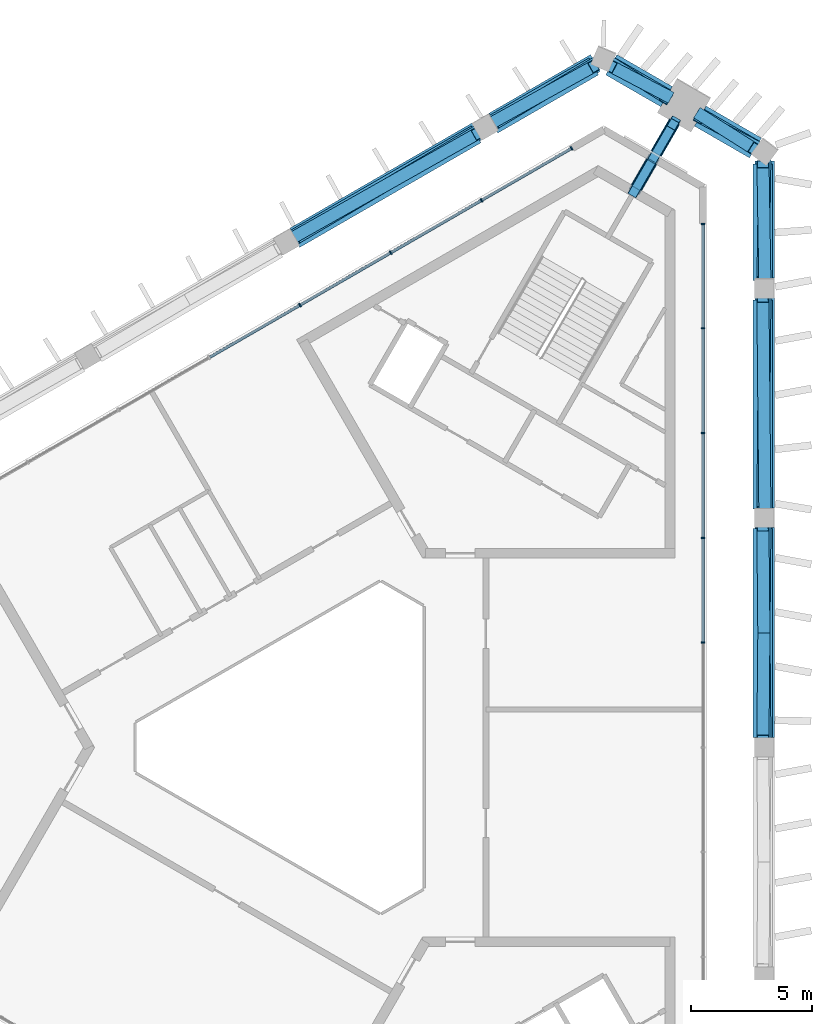
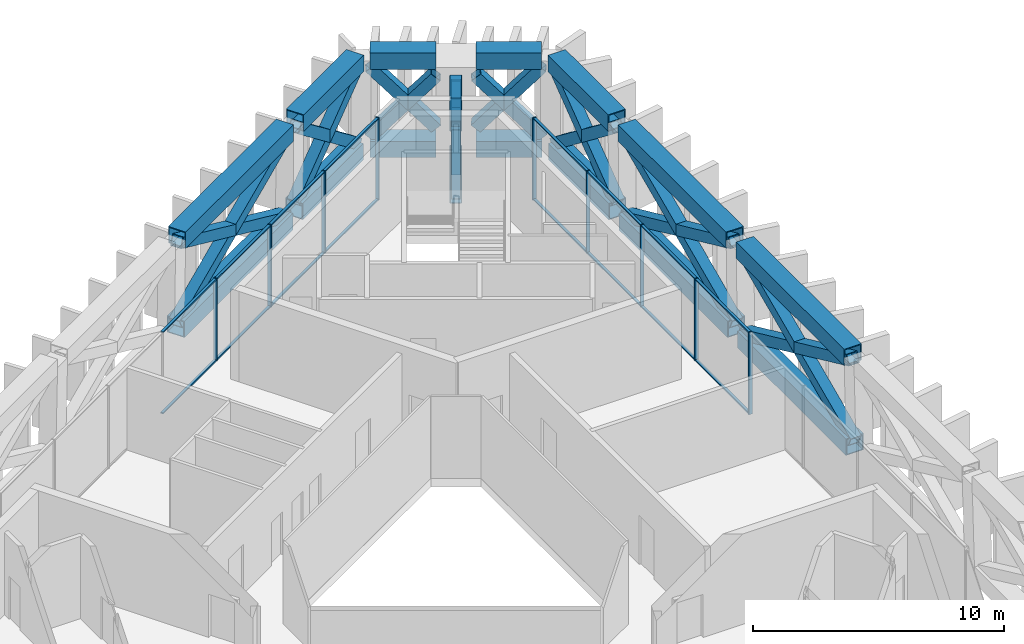
# One storey, part 6 of 12: 61 members, 2 elements without a shape of their own.
"""IFC4 building model written with IfcOpenShell, lengths in metres."""

from ifc_helpers import new_model, si_unit, direction, frame, origin, origin_2d, place, context, subcontext, project, spatial, rectangle, hollow_rectangle, extrude, material, layer, layer_set, material_profile, profile_set, type_object, element, aggregate, save


model = new_model("IFC4")

# Units and contexts
model_context = context("Model", 3, precision=1e-05, world=origin(), true_north=direction((0.0, 1.0)))
body_context = subcontext(model_context, "Body", "Model", "MODEL_VIEW")
ifc_project = project(units=[si_unit("LENGTHUNIT", "METRE"), si_unit("AREAUNIT", "SQUARE_METRE"), si_unit("VOLUMEUNIT", "CUBIC_METRE"), si_unit("PLANEANGLEUNIT", "RADIAN"), si_unit("MASSUNIT", "GRAM", prefix="KILO")], contexts=[model_context])

# Site, building, storey
site_placement = place(None, origin())
site = spatial("IfcSite", under=ifc_project, at=site_placement, CompositionType="ELEMENT")
building_placement = place(site_placement, origin())
building = spatial("IfcBuilding", under=site, at=building_placement, Name="Jabali Bay Hotel Tower and Convention Centre", CompositionType="ELEMENT")
storey_placement = place(building_placement, frame((0.0, 0.0, 300.39990234375)))
storey = spatial("IfcBuildingStorey", under=building, at=storey_placement, Name="L74", CompositionType="ELEMENT", Elevation=300.39990234375)

# Members
ifc_material_1 = material(Name="Steel Q420GJC", Category="steel")
ifc_material_profile_1 = material_profile(ifc_material_1, hollow_rectangle(XDim=0.5, YDim=0.5, WallThickness=0.030029296875, at=origin_2d()), Name="Belt brace 500x500x30")
ifc_profile_set_1 = profile_set([ifc_material_profile_1], Name="Steel Q420GJC")
member_type_1 = type_object("IfcMemberType", Name="Belt brace 500x500x30", PredefinedType="BRACE", material=ifc_profile_set_1)
member_1_placement = place(storey_placement, frame((89.564208984375, 106.82470703125, 0.921142578125), z_axis=(-0.580697559243, 0.304608205437, 0.754986215682), x_axis=(-0.464525419393, -0.885559786089, 0.0)))
element("IfcMember", 1, at=member_1_placement, inside=storey, type_object=member_type_1, Name="Belt brace T6 M1-V2 x1", PredefinedType="BRACE", context=body_context, shape_type="SweptSolid", body=[
    extrude(hollow_rectangle(XDim=0.5, YDim=0.5, WallThickness=0.030029296875, at=origin_2d()), origin(), (0.0, 0.0, 1.0), 3.997802734375),
])
member_2_placement = place(storey_placement, frame((87.292724609375, 108.155029296875, 0.458984375), z_axis=(0.555236915082, -0.351223877534, 0.75389240345), x_axis=(0.534589039241, 0.845112157718, 0.0)))
element("IfcMember", 2, at=member_2_placement, inside=storey, type_object=member_type_1, Name="Belt brace T6 M1-V2 x2", PredefinedType="BRACE", context=body_context, shape_type="SweptSolid", body=[
    extrude(hollow_rectangle(XDim=0.5, YDim=0.5, WallThickness=0.030029296875, at=origin_2d()), origin(), (0.0, 0.0, 1.0), 4.010009765625),
])
member_3_placement = place(storey_placement, frame((86.611328125, 108.16357421875, 0.307861328125), z_axis=(-0.680158589643, -0.406930808505, 0.609747168935), x_axis=(0.51341517996, -0.85814034574, 0.0)))
element("IfcMember", 3, at=member_3_placement, inside=storey, type_object=member_type_1, Name="Belt brace T6 V2-F1.1 x1", PredefinedType="BRACE", context=body_context, shape_type="SweptSolid", body=[
    extrude(hollow_rectangle(XDim=0.5, YDim=0.5, WallThickness=0.030029296875, at=origin_2d()), origin(), (0.0, 0.0, 1.0), 6.20654296875),
])
member_4_placement = place(storey_placement, frame((82.432861328125, 105.7509765625, 0.3203125), z_axis=(0.682381240318, 0.379371185455, 0.624846658396), x_axis=(-0.485907655283, 0.874010154711, 0.0)))
element("IfcMember", 4, at=member_4_placement, inside=storey, type_object=member_type_1, Name="Belt brace T6 V2-F1.1 x2", PredefinedType="BRACE", context=body_context, shape_type="SweptSolid", body=[
    extrude(hollow_rectangle(XDim=0.5, YDim=0.5, WallThickness=0.030029296875, at=origin_2d()), origin(), (0.0, 0.0, 1.0), 6.01708984375),
])
member_5_placement = place(storey_placement, frame((81.73876953125, 105.353271484375, 0.185302734375), z_axis=(-0.781610594153, -0.461060141076, 0.42012905805), x_axis=(0.508075202316, -0.861312712545, 0.0)))
element("IfcMember", 5, at=member_5_placement, inside=storey, type_object=member_type_1, Name="Belt brace T6 F1.1-F1.2 x1", PredefinedType="BRACE", context=body_context, shape_type="SweptSolid", body=[
    extrude(hollow_rectangle(XDim=0.5, YDim=0.5, WallThickness=0.030029296875, at=origin_2d()), origin(), (0.0, 0.0, 1.0), 9.59130859375),
])
member_6_placement = place(storey_placement, frame((74.2421875, 101.025146484375, 0.18798828125), z_axis=(0.788056243037, 0.445042764363, 0.425328456253), x_axis=(-0.491738735816, 0.870742795375, 0.0)))
element("IfcMember", 6, at=member_6_placement, inside=storey, type_object=member_type_1, Name="Belt brace T6 F1.1-F1.2 x2", PredefinedType="BRACE", context=body_context, shape_type="SweptSolid", body=[
    extrude(hollow_rectangle(XDim=0.5, YDim=0.5, WallThickness=0.030029296875, at=origin_2d()), origin(), (0.0, 0.0, 1.0), 9.46142578125),
])
member_7_placement = place(storey_placement, frame((93.587158203125, 80.39990234375, 0.187255859375), z_axis=(-0.008553514534, 0.905824895, 0.423565929918), x_axis=(-0.999955419837, -0.009442369341, 0.0)))
element("IfcMember", 7, at=member_7_placement, inside=storey, type_object=member_type_1, Name="Belt brace T6 F0.3-F0.4 x1", PredefinedType="BRACE", context=body_context, shape_type="SweptSolid", body=[
    extrude(hollow_rectangle(XDim=0.5, YDim=0.5, WallThickness=0.030029296875, at=origin_2d()), origin(), (0.0, 0.0, 1.0), 9.504638671875),
])
member_8_placement = place(storey_placement, frame((93.587158203125, 89.056396484375, 0.186279296875), z_axis=(-0.008514812044, -0.90663570761, 0.421828391247), x_axis=(0.999955901302, -0.009391243341, 0.0)))
element("IfcMember", 8, at=member_8_placement, inside=storey, type_object=member_type_1, Name="Belt brace T6 F0.3-F0.4 x2", PredefinedType="BRACE", context=body_context, shape_type="SweptSolid", body=[
    extrude(hollow_rectangle(XDim=0.5, YDim=0.5, WallThickness=0.030029296875, at=origin_2d()), origin(), (0.0, 0.0, 1.0), 9.5478515625),
])
member_9_placement = place(storey_placement, frame((93.587158203125, 89.856201171875, 0.18798828125), z_axis=(-0.008592739082, 0.904998633867, 0.425327682539), x_axis=(-0.999954927874, -0.009494325701, 0.0)))
element("IfcMember", 9, at=member_9_placement, inside=storey, type_object=member_type_1, Name="Belt brace T6 F0.4-F0.5 x1", PredefinedType="BRACE", context=body_context, shape_type="SweptSolid", body=[
    extrude(hollow_rectangle(XDim=0.5, YDim=0.5, WallThickness=0.030029296875, at=origin_2d()), origin(), (0.0, 0.0, 1.0), 9.46142578125),
])
member_10_placement = place(storey_placement, frame((93.587158203125, 98.5126953125, 0.185302734375), z_axis=(-0.008476336813, -0.907426219337, 0.420125943229), x_axis=(0.999956375009, -0.009340667982, 0.0)))
element("IfcMember", 10, at=member_10_placement, inside=storey, type_object=member_type_1, Name="Belt brace T6 F0.4-F0.5 x2", PredefinedType="BRACE", context=body_context, shape_type="SweptSolid", body=[
    extrude(hollow_rectangle(XDim=0.5, YDim=0.5, WallThickness=0.030029296875, at=origin_2d()), origin(), (0.0, 0.0, 1.0), 9.59130859375),
])
member_11_placement = place(storey_placement, frame((93.58447265625, 99.3125, 0.3203125), z_axis=(-0.012618586982, 0.780648275029, 0.6248432139), x_axis=(-0.999869384249, -0.01616212986, 0.0)))
element("IfcMember", 11, at=member_11_placement, inside=storey, type_object=member_type_1, Name="Belt brace T6 F0.5-V1 x1", PredefinedType="BRACE", context=body_context, shape_type="SweptSolid", body=[
    extrude(hollow_rectangle(XDim=0.5, YDim=0.5, WallThickness=0.030029296875, at=origin_2d()), origin(), (0.0, 0.0, 1.0), 6.01708984375),
])
member_12_placement = place(storey_placement, frame((93.584716796875, 104.137451171875, 0.307861328125), z_axis=(-0.012312146795, -0.79250102709, 0.609746285845), x_axis=(0.999879341117, -0.01553393725, 0.0)))
element("IfcMember", 12, at=member_12_placement, inside=storey, type_object=member_type_1, Name="Belt brace T6 F0.5-V1 x2", PredefinedType="BRACE", context=body_context, shape_type="SweptSolid", body=[
    extrude(hollow_rectangle(XDim=0.5, YDim=0.5, WallThickness=0.030029296875, at=origin_2d()), origin(), (0.0, 0.0, 1.0), 6.20654296875),
])
member_13_placement = place(storey_placement, frame((93.23681640625, 104.723388671875, 0.458984375), z_axis=(-0.58179025344, 0.305202442496, 0.753904218119), x_axis=(-0.464550555432, -0.885546600382, 0.0)))
element("IfcMember", 13, at=member_13_placement, inside=storey, type_object=member_type_1, Name="Belt brace T6 V1-M1 x1", PredefinedType="BRACE", context=body_context, shape_type="SweptSolid", body=[
    extrude(hollow_rectangle(XDim=0.5, YDim=0.5, WallThickness=0.030029296875, at=origin_2d()), origin(), (0.0, 0.0, 1.0), 4.010009765625),
])
member_14_placement = place(storey_placement, frame((90.94873046875, 106.025390625, 0.921142578125), z_axis=(0.554137713536, -0.35059561532, 0.754992787353), x_axis=(0.534662072622, 0.845065954881, 0.0)))
element("IfcMember", 14, at=member_14_placement, inside=storey, type_object=member_type_1, Name="Belt brace T6 V1-M1 x2", PredefinedType="BRACE", context=body_context, shape_type="SweptSolid", body=[
    extrude(hollow_rectangle(XDim=0.5, YDim=0.5, WallThickness=0.030029296875, at=origin_2d()), origin(), (0.0, 0.0, 1.0), 3.997802734375),
])
ifc_material_profile_2 = material_profile(ifc_material_1, hollow_rectangle(XDim=0.800048828125, YDim=0.800048828125, WallThickness=0.0400390625, at=origin_2d()), Name="Belt chord 800x800x40")
ifc_profile_set_2 = profile_set([ifc_material_profile_2], Name="Steel Q420GJC")
member_type_2 = type_object("IfcMemberType", Name="Belt chord 800x800x40", PredefinedType="CHORD", material=ifc_profile_set_2)
member_15_placement = place(storey_placement, frame((89.580078125, 106.853271484375, 0.0), z_axis=(-0.866048090802, 0.499960702874, 0.0), x_axis=(-0.499960702874, -0.866048090802, 0.0)))
element("IfcMember", 15, at=member_15_placement, inside=storey, type_object=member_type_2, Name="Belt chord T6 M1-V2", PredefinedType="CHORD", context=body_context, shape_type="SweptSolid", body=[
    extrude(hollow_rectangle(XDim=0.800048828125, YDim=0.800048828125, WallThickness=0.0400390625, at=origin_2d()), origin(), (0.0, 0.0, 1.0), 2.631591796875),
])
member_16_placement = place(storey_placement, frame((86.608154296875, 108.1689453125, 0.0), z_axis=(-0.866033069333, -0.499986722646, 0.0), x_axis=(0.499986722646, -0.866033069333, 0.0)))
element("IfcMember", 16, at=member_16_placement, inside=storey, type_object=member_type_2, Name="Belt chord T6 V2-F1.1", PredefinedType="CHORD", context=body_context, shape_type="SweptSolid", body=[
    extrude(hollow_rectangle(XDim=0.800048828125, YDim=0.800048828125, WallThickness=0.0400390625, at=origin_2d()), origin(), (0.0, 0.0, 1.0), 4.824951171875),
])
member_17_placement = place(storey_placement, frame((81.737060546875, 105.3564453125, 0.0), z_axis=(-0.866026837124, -0.499997517375, 0.0), x_axis=(0.499997517375, -0.866026837124, 0.0)))
element("IfcMember", 17, at=member_17_placement, inside=storey, type_object=member_type_2, Name="Belt chord T6 F1.1-F1.2", PredefinedType="CHORD", context=body_context, shape_type="SweptSolid", body=[
    extrude(hollow_rectangle(XDim=0.800048828125, YDim=0.800048828125, WallThickness=0.0400390625, at=origin_2d()), origin(), (0.0, 0.0, 1.0), 8.65625),
])
for number, where, z_axis, x_axis, name in (
    (18, (93.5908203125, 80.39990234375, 0.0), (0.0, 1.0, 0.0), (-1.0, 0.0, 0.0), "Belt chord T6 F0.3-F0.4"),
    (19, (93.5908203125, 89.856201171875, 0.0), (0.0, 1.0, 0.0), (-1.0, 0.0, 0.0), "Belt chord T6 F0.4-F0.5"),
):
    element("IfcMember", number, at=place(storey_placement, frame(where, z_axis=z_axis, x_axis=x_axis)), inside=storey, type_object=member_type_2, Name=name, PredefinedType="CHORD", context=body_context, shape_type="SweptSolid", body=[
        extrude(hollow_rectangle(XDim=0.800048828125, YDim=0.800048828125, WallThickness=0.0400390625, at=origin_2d()), origin(), (0.0, 0.0, 1.0), 8.656494140625),
    ])
member_18_placement = place(storey_placement, frame((93.5908203125, 99.312744140625, 0.0), z_axis=(0.0, 1.0, 0.0), x_axis=(-1.0, 0.0, 0.0)))
element("IfcMember", 20, at=member_18_placement, inside=storey, type_object=member_type_2, Name="Belt chord T6 F0.5-V1", PredefinedType="CHORD", context=body_context, shape_type="SweptSolid", body=[
    extrude(hollow_rectangle(XDim=0.800048828125, YDim=0.800048828125, WallThickness=0.0400390625, at=origin_2d()), origin(), (0.0, 0.0, 1.0), 4.82470703125),
])
member_19_placement = place(storey_placement, frame((93.244384765625, 104.737548828125, 0.0), z_axis=(-0.866024898077, 0.500000875909, 0.0), x_axis=(-0.500000875909, -0.866024898077, 0.0)))
element("IfcMember", 21, at=member_19_placement, inside=storey, type_object=member_type_2, Name="Belt chord T6 V1-M1", PredefinedType="CHORD", context=body_context, shape_type="SweptSolid", body=[
    extrude(hollow_rectangle(XDim=0.800048828125, YDim=0.800048828125, WallThickness=0.0400390625, at=origin_2d()), origin(), (0.0, 0.0, 1.0), 2.63134765625),
])
member_20_placement = place(storey_placement, frame((89.50244140625, 106.718994140625, 4.400146484375), z_axis=(-0.866042736469, 0.499969977708, 0.0), x_axis=(-0.499969977708, -0.866042736469, 0.0)))
element("IfcMember", 22, at=member_20_placement, inside=storey, type_object=member_type_2, Name="Belt chord T6 M1-V2", PredefinedType="CHORD", context=body_context, shape_type="SweptSolid", body=[
    extrude(hollow_rectangle(XDim=0.800048828125, YDim=0.800048828125, WallThickness=0.0400390625, at=origin_2d()), origin(), (0.0, 0.0, 1.0), 2.618408203125),
])
member_21_placement = place(storey_placement, frame((86.5419921875, 108.028076171875, 4.400146484375), z_axis=(-0.86602690036, -0.499997407846, 0.0), x_axis=(0.499997407846, -0.86602690036, 0.0)))
element("IfcMember", 23, at=member_21_placement, inside=storey, type_object=member_type_2, Name="Belt chord T6 V2-F1.1", PredefinedType="CHORD", context=body_context, shape_type="SweptSolid", body=[
    extrude(hollow_rectangle(XDim=0.800048828125, YDim=0.800048828125, WallThickness=0.0400390625, at=origin_2d()), origin(), (0.0, 0.0, 1.0), 4.791015625),
])
for number, where, z_axis, x_axis, name in (
    (24, (81.7001953125, 105.232666015625, 4.400146484375), (-0.866028807769, -0.499994104079, 0.0), (0.499994104079, -0.866028807769, 0.0), "Belt chord T6 F1.1-F1.2"),
    (25, (93.502197265625, 80.39990234375, 4.400146484375), (0.0, 1.0, 0.0), (-1.0, 0.0, 0.0), "Belt chord T6 F0.3-F0.4"),
    (26, (93.502197265625, 89.809326171875, 4.400146484375), (0.0, 1.0, 0.0), (-1.0, 0.0, 0.0), "Belt chord T6 F0.4-F0.5"),
):
    element("IfcMember", number, at=place(storey_placement, frame(where, z_axis=z_axis, x_axis=x_axis)), inside=storey, type_object=member_type_2, Name=name, PredefinedType="CHORD", context=body_context, shape_type="SweptSolid", body=[
        extrude(hollow_rectangle(XDim=0.800048828125, YDim=0.800048828125, WallThickness=0.0400390625, at=origin_2d()), origin(), (0.0, 0.0, 1.0), 8.609375),
    ])
member_22_placement = place(storey_placement, frame((93.502197265625, 99.21875, 4.400146484375), z_axis=(0.0, 1.0, 0.0), x_axis=(-1.0, 0.0, 0.0)))
element("IfcMember", 27, at=member_22_placement, inside=storey, type_object=member_type_2, Name="Belt chord T6 F0.5-V1", PredefinedType="CHORD", context=body_context, shape_type="SweptSolid", body=[
    extrude(hollow_rectangle(XDim=0.800048828125, YDim=0.800048828125, WallThickness=0.0400390625, at=origin_2d()), origin(), (0.0, 0.0, 1.0), 4.791015625),
])
member_23_placement = place(storey_placement, frame((93.15576171875, 104.60986328125, 4.400146484375), z_axis=(-0.866042736469, 0.499969977708, 0.0), x_axis=(-0.499969977708, -0.866042736469, 0.0)))
element("IfcMember", 28, at=member_23_placement, inside=storey, type_object=member_type_2, Name="Belt chord T6 V1-M1", PredefinedType="CHORD", context=body_context, shape_type="SweptSolid", body=[
    extrude(hollow_rectangle(XDim=0.800048828125, YDim=0.800048828125, WallThickness=0.0400390625, at=origin_2d()), origin(), (0.0, 0.0, 1.0), 2.618408203125),
])

# Curtain wall, members
ifc_material_2 = material(Name="Aluminium and glass", Category="aluminium")
ifc_layer = layer(ifc_material_2, 0.159912109375)
ifc_layer_set = layer_set([ifc_layer], Name="Aluminium and glass")
curtain_wall_type = type_object("IfcCurtainWallType", Name="CW3 curtain wall", PredefinedType="NOTDEFINED", material=ifc_layer_set)
curtain_wall_1_placement = place(storey_placement, origin())
curtain_wall_1 = element("IfcCurtainWall", 29, at=curtain_wall_1_placement, inside=storey, type_object=curtain_wall_type, Name="CW3 curtain wall east face L74", PredefinedType="NOTDEFINED")
ifc_material_3 = material(Name="Aluminium", Category="aluminium")
ifc_material_profile_3 = material_profile(ifc_material_3, rectangle(XDim=0.159912109375, YDim=0.06005859375, at=origin_2d()), Name="CW3 mullion 60 x 160")
ifc_profile_set_3 = profile_set([ifc_material_profile_3], Name="Aluminium")
member_type_3 = type_object("IfcMemberType", Name="CW3 mullion 60 x 160", PredefinedType="MULLION", material=ifc_profile_set_3)
member_24_placement = place(storey_placement, frame((91.041015625, 101.53515625, 0.0), z_axis=(0.0, 0.0, 1.0), x_axis=(1.0, 0.0, 0.0)))
member_24 = element("IfcMember", 30, at=member_24_placement, type_object=member_type_3, Name="CW3 mullion 1", PredefinedType="MULLION", context=body_context, shape_type="SweptSolid", body=[
    extrude(rectangle(XDim=0.159912109375, YDim=0.06005859375, at=origin_2d()), origin(), (0.0, 0.0, 1.0), 4.0),
])
member_25_placement = place(storey_placement, frame((91.041015625, 97.252197265625, 0.0), z_axis=(0.0, 0.0, 1.0), x_axis=(1.0, 0.0, 0.0)))
member_25 = element("IfcMember", 31, at=member_25_placement, type_object=member_type_3, Name="CW3 mullion 2", PredefinedType="MULLION", context=body_context, shape_type="SweptSolid", body=[
    extrude(rectangle(XDim=0.159912109375, YDim=0.06005859375, at=origin_2d()), origin(), (0.0, 0.0, 1.0), 4.0),
])
member_26_placement = place(storey_placement, frame((91.041015625, 92.939208984375, 0.0), z_axis=(0.0, 0.0, 1.0), x_axis=(1.0, 0.0, 0.0)))
member_26 = element("IfcMember", 32, at=member_26_placement, type_object=member_type_3, Name="CW3 mullion 3", PredefinedType="MULLION", context=body_context, shape_type="SweptSolid", body=[
    extrude(rectangle(XDim=0.159912109375, YDim=0.06005859375, at=origin_2d()), origin(), (0.0, 0.0, 1.0), 4.0),
])
member_27_placement = place(storey_placement, frame((91.041015625, 88.626220703125, 0.0), z_axis=(0.0, 0.0, 1.0), x_axis=(1.0, 0.0, 0.0)))
member_27 = element("IfcMember", 33, at=member_27_placement, type_object=member_type_3, Name="CW3 mullion 4", PredefinedType="MULLION", context=body_context, shape_type="SweptSolid", body=[
    extrude(rectangle(XDim=0.159912109375, YDim=0.06005859375, at=origin_2d()), origin(), (0.0, 0.0, 1.0), 4.0),
])
member_28_placement = place(storey_placement, frame((91.041015625, 84.31298828125, 0.0), z_axis=(0.0, 0.0, 1.0), x_axis=(1.0, 0.0, 0.0)))
member_28 = element("IfcMember", 34, at=member_28_placement, type_object=member_type_3, Name="CW3 mullion 5", PredefinedType="MULLION", context=body_context, shape_type="SweptSolid", body=[
    extrude(rectangle(XDim=0.159912109375, YDim=0.06005859375, at=origin_2d()), origin(), (0.0, 0.0, 1.0), 4.0),
])

curtain_wall_2_placement = place(storey_placement, origin())
curtain_wall_2 = element("IfcCurtainWall", 35, at=curtain_wall_2_placement, inside=storey, type_object=curtain_wall_type, Name="CW3 curtain wall north-west face L74", PredefinedType="NOTDEFINED")
member_29_placement = place(storey_placement, frame((74.449951171875, 98.204833984375, 0.0), z_axis=(0.0, 0.0, 1.0), x_axis=(-0.500000004882, 0.866025400966, 0.0)))
member_29 = element("IfcMember", 36, at=member_29_placement, type_object=member_type_3, Name="CW3 mullion 8", PredefinedType="MULLION", context=body_context, shape_type="SweptSolid", body=[
    extrude(rectangle(XDim=0.159912109375, YDim=0.06005859375, at=origin_2d()), origin(), (0.0, 0.0, 1.0), 4.0),
])
member_30_placement = place(storey_placement, frame((78.185302734375, 100.361328125, 0.0), z_axis=(0.0, 0.0, 1.0), x_axis=(-0.500000004882, 0.866025400966, 0.0)))
member_30 = element("IfcMember", 37, at=member_30_placement, type_object=member_type_3, Name="CW3 mullion 9", PredefinedType="MULLION", context=body_context, shape_type="SweptSolid", body=[
    extrude(rectangle(XDim=0.159912109375, YDim=0.06005859375, at=origin_2d()), origin(), (0.0, 0.0, 1.0), 4.0),
])
member_31_placement = place(storey_placement, frame((81.92041015625, 102.51806640625, 0.0), z_axis=(0.0, 0.0, 1.0), x_axis=(-0.500000004882, 0.866025400966, 0.0)))
member_31 = element("IfcMember", 38, at=member_31_placement, type_object=member_type_3, Name="CW3 mullion 10", PredefinedType="MULLION", context=body_context, shape_type="SweptSolid", body=[
    extrude(rectangle(XDim=0.159912109375, YDim=0.06005859375, at=origin_2d()), origin(), (0.0, 0.0, 1.0), 4.0),
])
member_32_placement = place(storey_placement, frame((85.629638671875, 104.659423828125, 0.0), z_axis=(0.0, 0.0, 1.0), x_axis=(-0.500000004882, 0.866025400966, 0.0)))
member_32 = element("IfcMember", 39, at=member_32_placement, type_object=member_type_3, Name="CW3 mullion 11", PredefinedType="MULLION", context=body_context, shape_type="SweptSolid", body=[
    extrude(rectangle(XDim=0.159912109375, YDim=0.06005859375, at=origin_2d()), origin(), (0.0, 0.0, 1.0), 4.0),
])

# Member
ifc_material_profile_4 = material_profile(ifc_material_3, rectangle(XDim=0.1201171875, YDim=0.06005859375, at=origin_2d()), Name="CW3 transom 60 x 120")
ifc_profile_set_4 = profile_set([ifc_material_profile_4], Name="Aluminium")
member_type_4 = type_object("IfcMemberType", Name="CW3 transom 60 x 120", PredefinedType="USERDEFINED", material=ifc_profile_set_4)
member_33_placement = place(storey_placement, frame((91.041015625, 101.50537109375, 0.030029296875), z_axis=(0.0, -1.0, 0.0), x_axis=(1.0, 0.0, 0.0)))
member_33 = element("IfcMember", 40, at=member_33_placement, type_object=member_type_4, Name="CW3 transom 1.1", ObjectType="TRANSOM", PredefinedType="USERDEFINED", context=body_context, shape_type="SweptSolid", body=[
    extrude(rectangle(XDim=0.1201171875, YDim=0.06005859375, at=origin_2d()), origin(), (0.0, 0.0, 1.0), 4.22314453125),
])

member_34_placement = place(storey_placement, frame((91.041015625, 101.50537109375, 3.97021484375), z_axis=(0.0, -1.0, 0.0), x_axis=(1.0, 0.0, 0.0)))
member_34 = element("IfcMember", 41, at=member_34_placement, type_object=member_type_4, Name="CW3 transom 1.2", ObjectType="TRANSOM", PredefinedType="USERDEFINED", context=body_context, shape_type="SweptSolid", body=[
    extrude(rectangle(XDim=0.1201171875, YDim=0.06005859375, at=origin_2d()), origin(), (0.0, 0.0, 1.0), 4.22314453125),
])

member_35_placement = place(storey_placement, frame((91.041015625, 97.22216796875, 0.030029296875), z_axis=(0.0, -1.0, 0.0), x_axis=(1.0, 0.0, 0.0)))
member_35 = element("IfcMember", 42, at=member_35_placement, type_object=member_type_4, Name="CW3 transom 2.1", ObjectType="TRANSOM", PredefinedType="USERDEFINED", context=body_context, shape_type="SweptSolid", body=[
    extrude(rectangle(XDim=0.1201171875, YDim=0.06005859375, at=origin_2d()), origin(), (0.0, 0.0, 1.0), 4.2529296875),
])

member_36_placement = place(storey_placement, frame((91.041015625, 97.22216796875, 3.97021484375), z_axis=(0.0, -1.0, 0.0), x_axis=(1.0, 0.0, 0.0)))
member_36 = element("IfcMember", 43, at=member_36_placement, type_object=member_type_4, Name="CW3 transom 2.2", ObjectType="TRANSOM", PredefinedType="USERDEFINED", context=body_context, shape_type="SweptSolid", body=[
    extrude(rectangle(XDim=0.1201171875, YDim=0.06005859375, at=origin_2d()), origin(), (0.0, 0.0, 1.0), 4.2529296875),
])

member_37_placement = place(storey_placement, frame((91.041015625, 92.9091796875, 0.030029296875), z_axis=(0.0, -1.0, 0.0), x_axis=(1.0, 0.0, 0.0)))
member_37 = element("IfcMember", 44, at=member_37_placement, type_object=member_type_4, Name="CW3 transom 3.1", ObjectType="TRANSOM", PredefinedType="USERDEFINED", context=body_context, shape_type="SweptSolid", body=[
    extrude(rectangle(XDim=0.1201171875, YDim=0.06005859375, at=origin_2d()), origin(), (0.0, 0.0, 1.0), 4.253173828125),
])

member_38_placement = place(storey_placement, frame((91.041015625, 92.9091796875, 3.97021484375), z_axis=(0.0, -1.0, 0.0), x_axis=(1.0, 0.0, 0.0)))
member_38 = element("IfcMember", 45, at=member_38_placement, type_object=member_type_4, Name="CW3 transom 3.2", ObjectType="TRANSOM", PredefinedType="USERDEFINED", context=body_context, shape_type="SweptSolid", body=[
    extrude(rectangle(XDim=0.1201171875, YDim=0.06005859375, at=origin_2d()), origin(), (0.0, 0.0, 1.0), 4.253173828125),
])

member_39_placement = place(storey_placement, frame((91.041015625, 88.59619140625, 0.030029296875), z_axis=(0.0, -1.0, 0.0), x_axis=(1.0, 0.0, 0.0)))
member_39 = element("IfcMember", 46, at=member_39_placement, type_object=member_type_4, Name="CW3 transom 4.1", ObjectType="TRANSOM", PredefinedType="USERDEFINED", context=body_context, shape_type="SweptSolid", body=[
    extrude(rectangle(XDim=0.1201171875, YDim=0.06005859375, at=origin_2d()), origin(), (0.0, 0.0, 1.0), 4.253173828125),
])

member_40_placement = place(storey_placement, frame((91.041015625, 88.59619140625, 3.97021484375), z_axis=(0.0, -1.0, 0.0), x_axis=(1.0, 0.0, 0.0)))
member_40 = element("IfcMember", 47, at=member_40_placement, type_object=member_type_4, Name="CW3 transom 4.2", ObjectType="TRANSOM", PredefinedType="USERDEFINED", context=body_context, shape_type="SweptSolid", body=[
    extrude(rectangle(XDim=0.1201171875, YDim=0.06005859375, at=origin_2d()), origin(), (0.0, 0.0, 1.0), 4.253173828125),
])

aggregate(curtain_wall_1, [member_24, member_25, member_26, member_27, member_28, member_33, member_34, member_35, member_36, member_37, member_38, member_39, member_40])

member_41_placement = place(storey_placement, frame((70.74072265625, 96.0634765625, 0.030029296875), z_axis=(0.866037421778, 0.499979183647, 0.0), x_axis=(-0.499979183647, 0.866037421778, 0.0)))
member_41 = element("IfcMember", 48, at=member_41_placement, type_object=member_type_4, Name="CW3 transom 7.1", ObjectType="TRANSOM", PredefinedType="USERDEFINED", context=body_context, shape_type="SweptSolid", body=[
    extrude(rectangle(XDim=0.1201171875, YDim=0.06005859375, at=origin_2d()), origin(), (0.0, 0.0, 1.0), 4.253173828125),
])

member_42_placement = place(storey_placement, frame((70.74072265625, 96.0634765625, 3.97021484375), z_axis=(0.866037421778, 0.499979183647, 0.0), x_axis=(-0.499979183647, 0.866037421778, 0.0)))
member_42 = element("IfcMember", 49, at=member_42_placement, type_object=member_type_4, Name="CW3 transom 7.2", ObjectType="TRANSOM", PredefinedType="USERDEFINED", context=body_context, shape_type="SweptSolid", body=[
    extrude(rectangle(XDim=0.1201171875, YDim=0.06005859375, at=origin_2d()), origin(), (0.0, 0.0, 1.0), 4.253173828125),
])

member_43_placement = place(storey_placement, frame((74.47607421875, 98.219970703125, 0.030029296875), z_axis=(0.86602307118, 0.500004040168, 0.0), x_axis=(-0.500004040168, 0.86602307118, 0.0)))
member_43 = element("IfcMember", 50, at=member_43_placement, type_object=member_type_4, Name="CW3 transom 8.1", ObjectType="TRANSOM", PredefinedType="USERDEFINED", context=body_context, shape_type="SweptSolid", body=[
    extrude(rectangle(XDim=0.1201171875, YDim=0.06005859375, at=origin_2d()), origin(), (0.0, 0.0, 1.0), 4.2529296875),
])

member_44_placement = place(storey_placement, frame((74.47607421875, 98.219970703125, 3.97021484375), z_axis=(0.86602307118, 0.500004040168, 0.0), x_axis=(-0.500004040168, 0.86602307118, 0.0)))
member_44 = element("IfcMember", 51, at=member_44_placement, type_object=member_type_4, Name="CW3 transom 8.2", ObjectType="TRANSOM", PredefinedType="USERDEFINED", context=body_context, shape_type="SweptSolid", body=[
    extrude(rectangle(XDim=0.1201171875, YDim=0.06005859375, at=origin_2d()), origin(), (0.0, 0.0, 1.0), 4.2529296875),
])

member_45_placement = place(storey_placement, frame((78.211181640625, 100.37646484375, 0.030029296875), z_axis=(0.866037421778, 0.499979183647, 0.0), x_axis=(-0.499979183647, 0.866037421778, 0.0)))
member_45 = element("IfcMember", 52, at=member_45_placement, type_object=member_type_4, Name="CW3 transom 9.1", ObjectType="TRANSOM", PredefinedType="USERDEFINED", context=body_context, shape_type="SweptSolid", body=[
    extrude(rectangle(XDim=0.1201171875, YDim=0.06005859375, at=origin_2d()), origin(), (0.0, 0.0, 1.0), 4.253173828125),
])

member_46_placement = place(storey_placement, frame((78.211181640625, 100.37646484375, 3.97021484375), z_axis=(0.866037421778, 0.499979183647, 0.0), x_axis=(-0.499979183647, 0.866037421778, 0.0)))
member_46 = element("IfcMember", 53, at=member_46_placement, type_object=member_type_4, Name="CW3 transom 9.2", ObjectType="TRANSOM", PredefinedType="USERDEFINED", context=body_context, shape_type="SweptSolid", body=[
    extrude(rectangle(XDim=0.1201171875, YDim=0.06005859375, at=origin_2d()), origin(), (0.0, 0.0, 1.0), 4.253173828125),
])

member_47_placement = place(storey_placement, frame((81.9462890625, 102.532958984375, 0.030029296875), z_axis=(0.86603252234, 0.499987670097, 0.0), x_axis=(-0.499987670097, 0.86603252234, 0.0)))
member_47 = element("IfcMember", 54, at=member_47_placement, type_object=member_type_4, Name="CW3 transom 10.1", ObjectType="TRANSOM", PredefinedType="USERDEFINED", context=body_context, shape_type="SweptSolid", body=[
    extrude(rectangle(XDim=0.1201171875, YDim=0.06005859375, at=origin_2d()), origin(), (0.0, 0.0, 1.0), 4.22314453125),
])

member_48_placement = place(storey_placement, frame((81.9462890625, 102.532958984375, 3.97021484375), z_axis=(0.86603252234, 0.499987670097, 0.0), x_axis=(-0.499987670097, 0.86603252234, 0.0)))
member_48 = element("IfcMember", 55, at=member_48_placement, type_object=member_type_4, Name="CW3 transom 10.2", ObjectType="TRANSOM", PredefinedType="USERDEFINED", context=body_context, shape_type="SweptSolid", body=[
    extrude(rectangle(XDim=0.1201171875, YDim=0.06005859375, at=origin_2d()), origin(), (0.0, 0.0, 1.0), 4.22314453125),
])

aggregate(curtain_wall_2, [member_29, member_30, member_31, member_32, member_41, member_42, member_43, member_44, member_45, member_46, member_47, member_48])

# Members
ifc_material_profile_5 = material_profile(ifc_material_1, hollow_rectangle(XDim=0.39990234375, YDim=0.39990234375, WallThickness=0.011962890625, InnerFilletRadius=0.01806640625, OuterFilletRadius=0.030029296875, at=origin_2d()), Name="Outrigger brace 400x400x12")
ifc_profile_set_5 = profile_set([ifc_material_profile_5], Name="Steel Q420GJC")
member_type_5 = type_object("IfcMemberType", Name="Outrigger brace 400x400x12", PredefinedType="BRACE", material=ifc_profile_set_5)
member_49_placement = place(storey_placement, frame((88.20166015625, 102.86572265625, 0.25), z_axis=(0.208411109048, 0.361026119537, 0.908969169245), x_axis=(-0.866053882819, 0.499950669621, 0.0)))
element("IfcMember", 56, at=member_49_placement, inside=storey, type_object=member_type_5, Name="Outrigger brace T6 2.1x1", PredefinedType="BRACE", context=body_context, shape_type="SweptSolid", body=[
    extrude(hollow_rectangle(XDim=0.39990234375, YDim=0.39990234375, WallThickness=0.011962890625, InnerFilletRadius=0.01806640625, OuterFilletRadius=0.030029296875, at=origin_2d()), origin(), (0.0, 0.0, 1.0), 3.8505859375),
])
member_50_placement = place(storey_placement, frame((89.034912109375, 104.309326171875, 0.25), z_axis=(-0.214942063227, -0.372385707548, 0.902844833994), x_axis=(0.866080712882, -0.499904189594, 0.0)))
element("IfcMember", 57, at=member_50_placement, inside=storey, type_object=member_type_5, Name="Outrigger brace T6 2.1x2", PredefinedType="BRACE", context=body_context, shape_type="SweptSolid", body=[
    extrude(hollow_rectangle(XDim=0.39990234375, YDim=0.39990234375, WallThickness=0.011962890625, InnerFilletRadius=0.01806640625, OuterFilletRadius=0.030029296875, at=origin_2d()), origin(), (0.0, 0.0, 1.0), 3.876708984375),
])
member_51_placement = place(storey_placement, frame((89.034912109375, 104.309326171875, 0.25), z_axis=(0.20174787593, 0.349436767073, 0.914981825161), x_axis=(-0.866024905415, 0.5000008632, 0.0)))
element("IfcMember", 58, at=member_51_placement, inside=storey, type_object=member_type_5, Name="Outrigger brace T6 2.2x1", PredefinedType="BRACE", context=body_context, shape_type="SweptSolid", body=[
    extrude(hollow_rectangle(XDim=0.39990234375, YDim=0.39990234375, WallThickness=0.011962890625, InnerFilletRadius=0.01806640625, OuterFilletRadius=0.030029296875, at=origin_2d()), origin(), (0.0, 0.0, 1.0), 3.8251953125),
])
member_52_placement = place(storey_placement, frame((89.868408203125, 105.752685546875, 0.25), z_axis=(-0.221405013126, -0.383455970473, 0.896627759369), x_axis=(0.866009164463, -0.500028126276, 0.0)))
element("IfcMember", 59, at=member_52_placement, inside=storey, type_object=member_type_5, Name="Outrigger brace T6 2.2x2", PredefinedType="BRACE", context=body_context, shape_type="SweptSolid", body=[
    extrude(hollow_rectangle(XDim=0.39990234375, YDim=0.39990234375, WallThickness=0.011962890625, InnerFilletRadius=0.01806640625, OuterFilletRadius=0.030029296875, at=origin_2d()), origin(), (0.0, 0.0, 1.0), 3.903564453125),
])
ifc_material_profile_6 = material_profile(ifc_material_1, hollow_rectangle(XDim=0.5, YDim=0.5, WallThickness=0.01611328125, InnerFilletRadius=0.02392578125, OuterFilletRadius=0.0400390625, at=origin_2d()), Name="Outrigger chord 500x500x16")
ifc_profile_set_6 = profile_set([ifc_material_profile_6], Name="Steel Q420GJC")
member_type_6 = type_object("IfcMemberType", Name="Outrigger chord 500x500x16", PredefinedType="CHORD", material=ifc_profile_set_6)
for number, where, z_axis, x_axis, name in (
    (60, (88.20166015625, 102.86572265625, 0.25), (0.499904189594, 0.866080712882, 0.0), (-0.866080712882, 0.499904189594, 0.0), "Outrigger chord T6 2.lo1"),
    (61, (89.034912109375, 104.309326171875, 0.25), (0.500077471398, 0.865980671032, 0.0), (-0.865980671032, 0.500077471398, 0.0), "Outrigger chord T6 2.lo2"),
):
    element("IfcMember", number, at=place(storey_placement, frame(where, z_axis=z_axis, x_axis=x_axis)), inside=storey, type_object=member_type_6, Name=name, PredefinedType="CHORD", context=body_context, shape_type="SweptSolid", body=[
        extrude(hollow_rectangle(XDim=0.5, YDim=0.5, WallThickness=0.01611328125, InnerFilletRadius=0.02392578125, OuterFilletRadius=0.0400390625, at=origin_2d()), origin(), (0.0, 0.0, 1.0), 1.666748046875),
    ])
for number, where, z_axis, x_axis, name in (
    (62, (88.20166015625, 102.86572265625, 3.75), (0.499950669621, 0.866053882819, 0.0), (-0.866053882819, 0.499950669621, 0.0), "Outrigger chord T6 2.hi1"),
    (63, (89.004150390625, 104.255859375, 3.75), (0.499950669621, 0.866053882819, 0.0), (-0.866053882819, 0.499950669621, 0.0), "Outrigger chord T6 2.hi2"),
):
    element("IfcMember", number, at=place(storey_placement, frame(where, z_axis=z_axis, x_axis=x_axis)), inside=storey, type_object=member_type_6, Name=name, PredefinedType="CHORD", context=body_context, shape_type="SweptSolid", body=[
        extrude(hollow_rectangle(XDim=0.5, YDim=0.5, WallThickness=0.01611328125, InnerFilletRadius=0.02392578125, OuterFilletRadius=0.0400390625, at=origin_2d()), origin(), (0.0, 0.0, 1.0), 1.605224609375),
    ])

save(model, "model.ifc")
